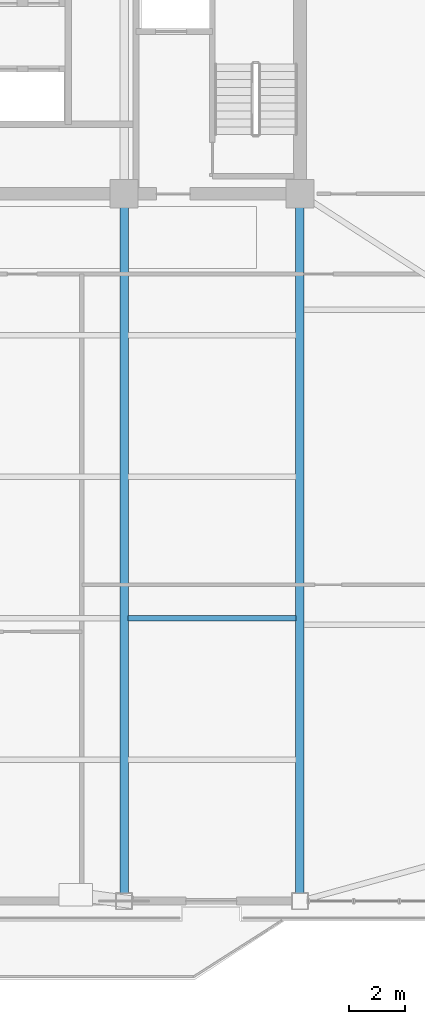
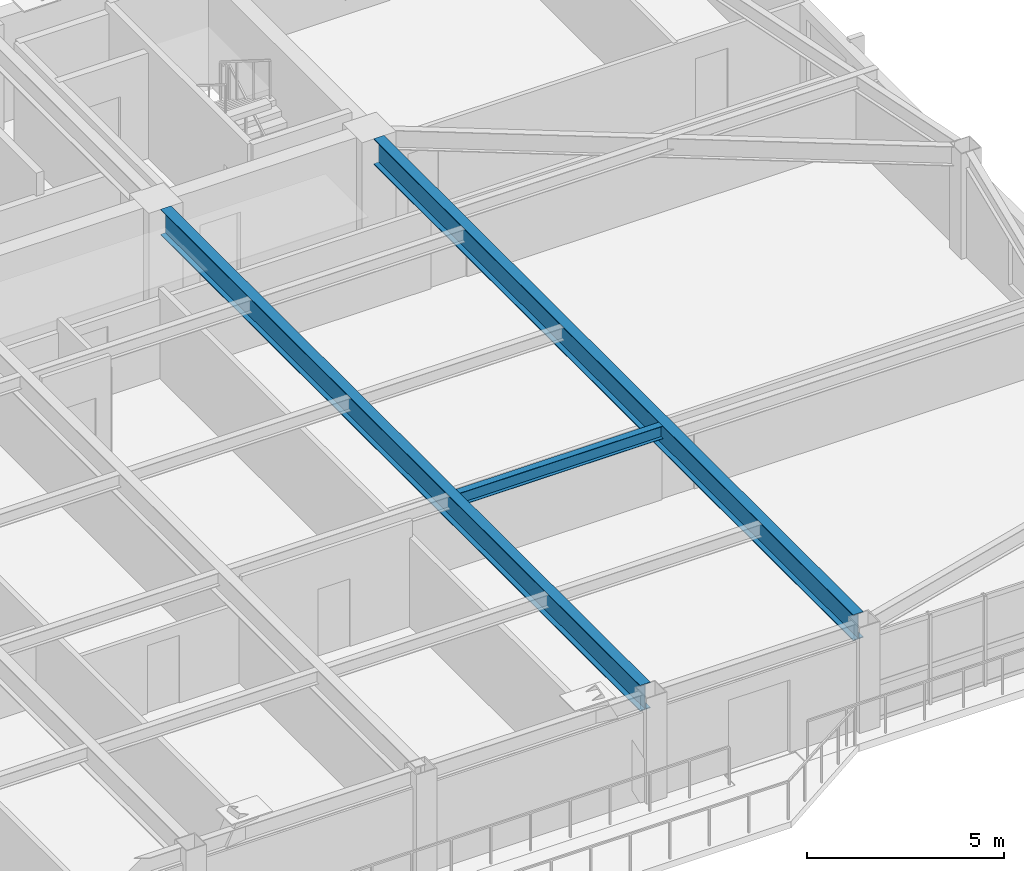
# One storey, part 5 of 17: 3 beams.
"""IFC4 building model written with IfcOpenShell, lengths in metres."""

from ifc_helpers import new_model, si_unit, direction, frame, origin, origin_2d, place, context, subcontext, project, spatial, i_section, extrude, source, transform, mapped, material, material_profile, profile_set, type_object, element, save


model = new_model("IFC4")

# Units and contexts
model_context = context("Model", 3, precision=1e-05, world=origin(), true_north=direction((0.0, 1.0)))
body_context = subcontext(model_context, "Body", "Model", "MODEL_VIEW")
ifc_project = project(units=[si_unit("LENGTHUNIT", "METRE"), si_unit("AREAUNIT", "SQUARE_METRE"), si_unit("VOLUMEUNIT", "CUBIC_METRE"), si_unit("PLANEANGLEUNIT", "RADIAN"), si_unit("MASSUNIT", "GRAM", prefix="KILO")], contexts=[model_context])

# Site, building, storey
site_placement = place(None, origin())
site = spatial("IfcSite", under=ifc_project, at=site_placement, CompositionType="ELEMENT")
building_placement = place(site_placement, origin())
building = spatial("IfcBuilding", under=site, at=building_placement, Name="Giltprow Tower", CompositionType="ELEMENT")
storey_placement = place(building_placement, frame((0.0, 0.0, 213.199951171875)))
storey = spatial("IfcBuildingStorey", under=building, at=storey_placement, Name="L54", CompositionType="ELEMENT", Elevation=213.199951171875)

# Beams
ifc_material = material(Name="Structural steel Q355B", Category="steel")
ifc_material_profile_1 = material_profile(ifc_material, i_section(OverallWidth=0.199951171875, OverallDepth=0.39990234375, WebThickness=0.008056640625, FlangeThickness=0.012939453125, at=origin_2d()), Name="HN 400x200x8x13")
ifc_profile_set_1 = profile_set([ifc_material_profile_1], Name="Structural steel Q355B")
beam_type_1 = type_object("IfcBeamType", Name="BM-JOIST-HN400", PredefinedType="JOIST", material=ifc_profile_set_1)
shared_shape_1 = source(origin(), body_context, "Body", "SweptSolid", [
    extrude(i_section(OverallWidth=0.199951171875, OverallDepth=0.39990234375, WebThickness=0.008056640625, FlangeThickness=0.012939453125, at=origin_2d()), origin(), (0.0, 0.0, 1.0), 5.9599609375),
])
beam_placement = place(storey_placement, frame((44.445068359375, 22.37109375, 3.070068359375), z_axis=(1.0, 0.0, 0.0), x_axis=(0.0, 1.0, 0.0)))
element("IfcBeam", 1, at=beam_placement, inside=storey, type_object=beam_type_1, Name="L54 Composite Floor Joist 2-4", PredefinedType="JOIST", context=body_context, shape_type="MappedRepresentation", body=[
    mapped(shared_shape_1, transform((0.0, 0.0, 0.0), x_axis=(1.0, 0.0, 0.0), y_axis=(0.0, 1.0, 0.0), z_axis=(0.0, 0.0, 1.0), scale=1.0)),
])
ifc_material_profile_2 = material_profile(ifc_material, i_section(OverallWidth=0.300048828125, OverallDepth=0.800048828125, WebThickness=0.013916015625, FlangeThickness=0.02587890625, at=origin_2d()), Name="HN 800x300x14x26")
ifc_profile_set_2 = profile_set([ifc_material_profile_2], Name="Structural steel Q355B")
beam_type_2 = type_object("IfcBeamType", Name="BM-GIRD-HN800", PredefinedType="BEAM", material=ifc_profile_set_2)
shared_shape_2 = source(origin(), body_context, "Body", "SweptSolid", [
    extrude(i_section(OverallWidth=0.300048828125, OverallDepth=0.800048828125, WebThickness=0.013916015625, FlangeThickness=0.02587890625, at=origin_2d()), origin(), (0.0, 0.0, 1.0), 24.362060546875),
])
for number, where, z_axis, x_axis, name in (
    (2, (44.300048828125, 12.60302734375, 2.8701171875), (0.0, 1.0, 0.0), (-1.0, 0.0, 0.0), "L54 Primary Lease Girder S3"),
    (3, (50.550048828125, 12.60302734375, 2.8701171875), (0.0, 1.0, 0.0), (-1.0, 0.0, 0.0), "L54 Primary Lease Girder S4"),
):
    element("IfcBeam", number, at=place(storey_placement, frame(where, z_axis=z_axis, x_axis=x_axis)), inside=storey, type_object=beam_type_2, Name=name, PredefinedType="BEAM", context=body_context, shape_type="MappedRepresentation", body=[
        mapped(shared_shape_2, transform((0.0, 0.0, 0.0), x_axis=(1.0, 0.0, 0.0), y_axis=(0.0, 1.0, 0.0), z_axis=(0.0, 0.0, 1.0), scale=1.0)),
    ])

save(model, "model.ifc")
